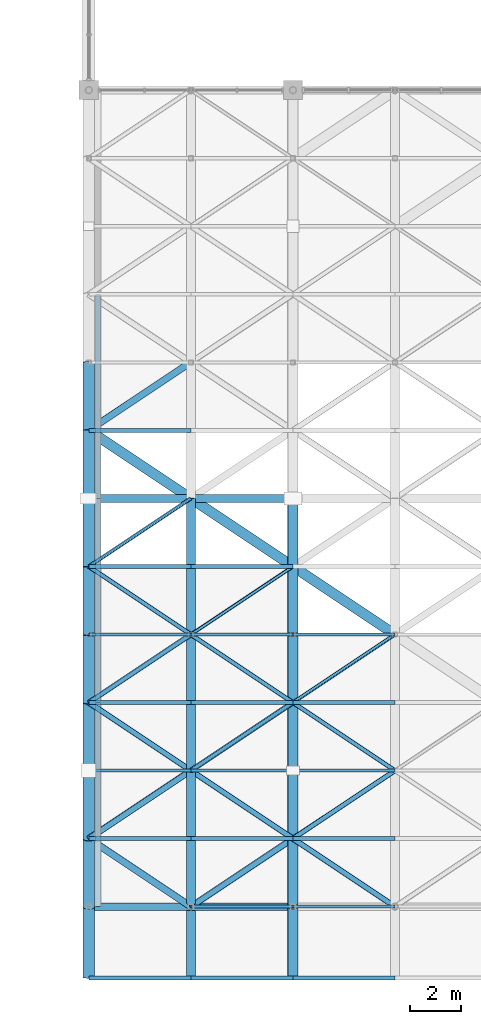
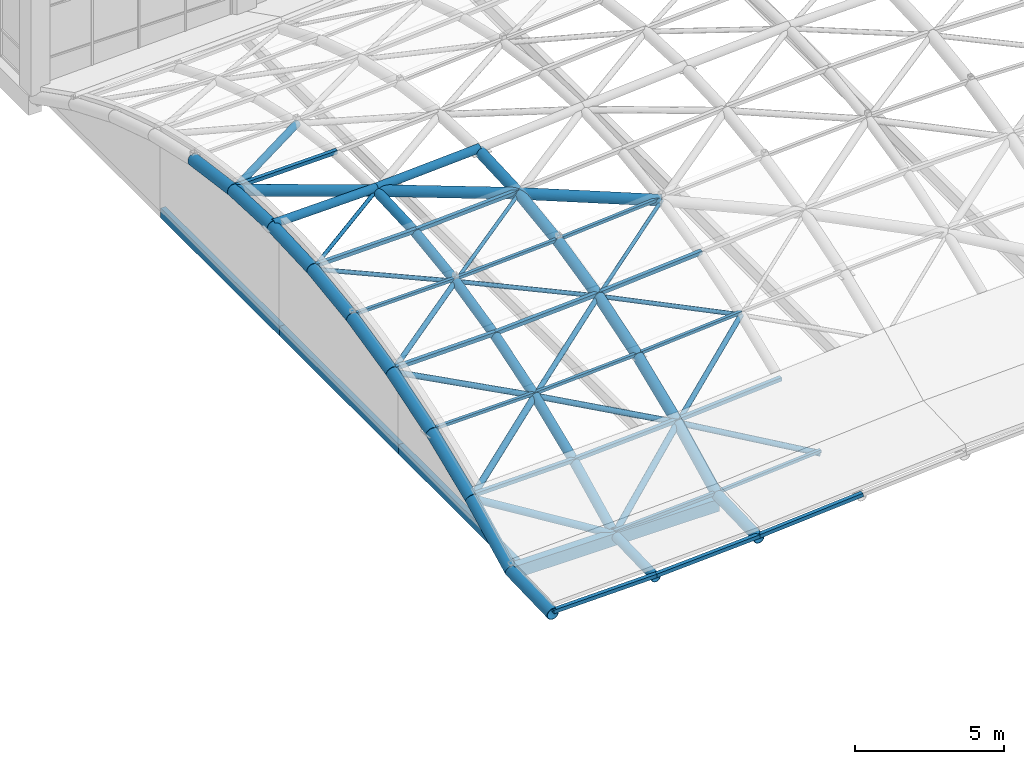
# One storey, part 11 of 72: 41 members, 27 beams.
"""IFC4 building model written with IfcOpenShell, lengths in metres."""

from ifc_helpers import new_model, si_unit, direction, frame, origin, origin_2d, place, context, subcontext, project, spatial, hollow_rectangle, hollow_circle, extrude, material, material_profile, profile_set, type_object, element, save


model = new_model("IFC4")

# Units and contexts
model_context = context("Model", 3, precision=1e-05, world=origin(), true_north=direction((0.0, 1.0)))
body_context = subcontext(model_context, "Body", "Model", "MODEL_VIEW")
ifc_project = project(units=[si_unit("LENGTHUNIT", "METRE"), si_unit("AREAUNIT", "SQUARE_METRE"), si_unit("VOLUMEUNIT", "CUBIC_METRE"), si_unit("PLANEANGLEUNIT", "RADIAN"), si_unit("MASSUNIT", "GRAM", prefix="KILO")], contexts=[model_context])

# Site, building, storey
site_placement = place(None, origin())
site = spatial("IfcSite", under=ifc_project, at=site_placement, CompositionType="ELEMENT")
building_placement = place(site_placement, origin())
building = spatial("IfcBuilding", under=site, at=building_placement, Name="Tenunan Teduh Sports Hall", CompositionType="ELEMENT")
storey_placement = place(building_placement, frame((0.0, 0.0, 15.0)))
storey = spatial("IfcBuildingStorey", under=building, at=storey_placement, Name="L03", CompositionType="ELEMENT", Elevation=15.0)

# Beams
ifc_material_1 = material(Name="Steel S355", Category="steel")
ifc_material_profile_1 = material_profile(ifc_material_1, hollow_circle(Radius=0.177734375, WallThickness=0.012451171875, at=origin_2d()), Name="CHS 355.6x12.5")
ifc_profile_set_1 = profile_set([ifc_material_profile_1], Name="Steel S355")
beam_type_1 = type_object("IfcBeamType", Name="GSB-CHS356", PredefinedType="BEAM", material=ifc_profile_set_1)
beam_1_placement = place(storey_placement, frame((126.0, 11.199951171875, -0.3837890625), z_axis=(0.0, 0.999521285082, 0.030938659769), x_axis=(-1.0, 0.0, 0.0)))
element("IfcBeam", 1, at=beam_1_placement, inside=storey, type_object=beam_type_1, Name="Gridshell Vault Arch BM-GR-04-L03-0082", PredefinedType="BEAM", context=body_context, shape_type="SweptSolid", body=[
    extrude(hollow_circle(Radius=0.177734375, WallThickness=0.012451171875, at=origin_2d()), origin(), (0.0, 0.0, 1.0), 2.6513671875),
])
beam_2_placement = place(storey_placement, frame((126.0, 14.14990234375, -0.2158203125), z_axis=(0.0, 0.893958432616, 0.448149886483), x_axis=(-1.0, 0.0, 0.0)))
element("IfcBeam", 2, at=beam_2_placement, inside=storey, type_object=beam_type_1, Name="Gridshell Vault Arch BM-GR-04-L03-0083", PredefinedType="BEAM", context=body_context, shape_type="SweptSolid", body=[
    extrude(hollow_circle(Radius=0.177734375, WallThickness=0.012451171875, at=origin_2d()), origin(), (0.0, 0.0, 1.0), 2.8154296875),
])
beam_3_placement = place(storey_placement, frame((126.0, 16.666748046875, 1.0458984375), z_axis=(0.0, 0.924239355634, 0.381813584748), x_axis=(-1.0, 0.0, 0.0)))
element("IfcBeam", 3, at=beam_3_placement, inside=storey, type_object=beam_type_1, Name="Gridshell Vault Arch BM-GR-04-L03-0084", PredefinedType="BEAM", context=body_context, shape_type="SweptSolid", body=[
    extrude(hollow_circle(Radius=0.177734375, WallThickness=0.012451171875, at=origin_2d()), origin(), (0.0, 0.0, 1.0), 2.885009765625),
])
beam_4_placement = place(storey_placement, frame((126.0, 19.333251953125, 2.1474609375), z_axis=(0.0, 0.952205270427, 0.305458872798), x_axis=(-1.0, 0.0, 0.0)))
element("IfcBeam", 4, at=beam_4_placement, inside=storey, type_object=beam_type_1, Name="Gridshell Vault Arch BM-GR-04-L03-0085", PredefinedType="BEAM", context=body_context, shape_type="SweptSolid", body=[
    extrude(hollow_circle(Radius=0.177734375, WallThickness=0.012451171875, at=origin_2d()), origin(), (0.0, 0.0, 1.0), 2.800537109375),
])
beam_5_placement = place(storey_placement, frame((126.0, 22.0, 3.0029296875), z_axis=(0.0, 0.974871798782, 0.222766640095), x_axis=(-1.0, 0.0, 0.0)))
element("IfcBeam", 5, at=beam_5_placement, inside=storey, type_object=beam_type_1, Name="Gridshell Vault Arch BM-GR-04-L03-0086", PredefinedType="BEAM", context=body_context, shape_type="SweptSolid", body=[
    extrude(hollow_circle(Radius=0.177734375, WallThickness=0.012451171875, at=origin_2d()), origin(), (0.0, 0.0, 1.0), 2.735595703125),
])
beam_6_placement = place(storey_placement, frame((126.0, 24.666748046875, 3.6123046875), z_axis=(0.0, 0.99065158568, 0.136416405866), x_axis=(-1.0, 0.0, 0.0)))
element("IfcBeam", 6, at=beam_6_placement, inside=storey, type_object=beam_type_1, Name="Gridshell Vault Arch BM-GR-04-L03-0087", PredefinedType="BEAM", context=body_context, shape_type="SweptSolid", body=[
    extrude(hollow_circle(Radius=0.177734375, WallThickness=0.012451171875, at=origin_2d()), origin(), (0.0, 0.0, 1.0), 2.691650390625),
])
beam_7_placement = place(storey_placement, frame((126.0, 27.333251953125, 3.9794921875), z_axis=(0.0, 0.998970613421, 0.045362027305), x_axis=(-1.0, 0.0, 0.0)))
element("IfcBeam", 7, at=beam_7_placement, inside=storey, type_object=beam_type_1, Name="Gridshell Vault Arch BM-GR-04-L03-0088", PredefinedType="BEAM", context=body_context, shape_type="SweptSolid", body=[
    extrude(hollow_circle(Radius=0.177734375, WallThickness=0.012451171875, at=origin_2d()), origin(), (0.0, 0.0, 1.0), 2.66943359375),
])
ifc_material_2 = material(Name="Steel S355", Category="steel")
ifc_material_profile_2 = material_profile(ifc_material_2, hollow_circle(Radius=0.203125, WallThickness=0.01611328125, at=origin_2d()), Name="CHS 406.4x16.0")
ifc_profile_set_2 = profile_set([ifc_material_profile_2], Name="Steel S355")
beam_type_2 = type_object("IfcBeamType", Name="GSB-CHS406", PredefinedType="BEAM", material=ifc_profile_set_2)
beam_8_placement = place(storey_placement, frame((130.0, 11.199951171875, -0.1650390625), z_axis=(0.0, 0.999529350566, 0.030676984166), x_axis=(-1.0, 0.0, 0.0)))
element("IfcBeam", 8, at=beam_8_placement, inside=storey, type_object=beam_type_2, Name="Gridshell Vault Arch BM-GA-02-L03-0095", PredefinedType="BEAM", context=body_context, shape_type="SweptSolid", body=[
    extrude(hollow_circle(Radius=0.203125, WallThickness=0.01611328125, at=origin_2d()), origin(), (0.0, 0.0, 1.0), 2.80126953125),
])
beam_9_placement = place(storey_placement, frame((130.0, 14.0, -0.0791015625), z_axis=(0.0, 0.893033000477, 0.449991177756), x_axis=(-1.0, 0.0, 0.0)))
element("IfcBeam", 9, at=beam_9_placement, inside=storey, type_object=beam_type_2, Name="Gridshell Vault Arch BM-GA-02-L03-0096", PredefinedType="BEAM", context=body_context, shape_type="SweptSolid", body=[
    extrude(hollow_circle(Radius=0.203125, WallThickness=0.01611328125, at=origin_2d()), origin(), (0.0, 0.0, 1.0), 2.986083984375),
])
beam_10_placement = place(storey_placement, frame((130.0, 16.666748046875, 1.2646484375), z_axis=(0.0, 0.924239355634, 0.381813584748), x_axis=(-1.0, 0.0, 0.0)))
element("IfcBeam", 10, at=beam_10_placement, inside=storey, type_object=beam_type_2, Name="Gridshell Vault Arch BM-GA-02-L03-0097", PredefinedType="BEAM", context=body_context, shape_type="SweptSolid", body=[
    extrude(hollow_circle(Radius=0.203125, WallThickness=0.01611328125, at=origin_2d()), origin(), (0.0, 0.0, 1.0), 2.885009765625),
])
beam_11_placement = place(storey_placement, frame((130.0, 19.333251953125, 2.3662109375), z_axis=(0.0, 0.952205270427, 0.305458872798), x_axis=(-1.0, 0.0, 0.0)))
element("IfcBeam", 11, at=beam_11_placement, inside=storey, type_object=beam_type_2, Name="Gridshell Vault Arch BM-GA-02-L03-0098", PredefinedType="BEAM", context=body_context, shape_type="SweptSolid", body=[
    extrude(hollow_circle(Radius=0.203125, WallThickness=0.01611328125, at=origin_2d()), origin(), (0.0, 0.0, 1.0), 2.800537109375),
])
beam_12_placement = place(storey_placement, frame((130.0, 22.0, 3.2216796875), z_axis=(0.0, 0.974871798782, 0.222766640095), x_axis=(-1.0, 0.0, 0.0)))
element("IfcBeam", 12, at=beam_12_placement, inside=storey, type_object=beam_type_2, Name="Gridshell Vault Arch BM-GA-02-L03-0099", PredefinedType="BEAM", context=body_context, shape_type="SweptSolid", body=[
    extrude(hollow_circle(Radius=0.203125, WallThickness=0.01611328125, at=origin_2d()), origin(), (0.0, 0.0, 1.0), 2.735595703125),
])
beam_13_placement = place(storey_placement, frame((130.0, 24.666748046875, 3.8310546875), z_axis=(0.0, 0.99065158568, 0.136416405866), x_axis=(-1.0, 0.0, 0.0)))
element("IfcBeam", 13, at=beam_13_placement, inside=storey, type_object=beam_type_2, Name="Gridshell Vault Arch BM-GA-02-L03-0100", PredefinedType="BEAM", context=body_context, shape_type="SweptSolid", body=[
    extrude(hollow_circle(Radius=0.203125, WallThickness=0.01611328125, at=origin_2d()), origin(), (0.0, 0.0, 1.0), 2.691650390625),
])
beam_14_placement = place(storey_placement, frame((130.0, 27.333251953125, 4.1982421875), z_axis=(0.0, 0.998970613421, 0.045362027305), x_axis=(-1.0, 0.0, 0.0)))
element("IfcBeam", 14, at=beam_14_placement, inside=storey, type_object=beam_type_2, Name="Gridshell Vault Arch BM-GA-02-L03-0101", PredefinedType="BEAM", context=body_context, shape_type="SweptSolid", body=[
    extrude(hollow_circle(Radius=0.203125, WallThickness=0.01611328125, at=origin_2d()), origin(), (0.0, 0.0, 1.0), 2.66943359375),
])
ifc_material_3 = material(Name="Steel S355", Category="steel")
ifc_material_profile_3 = material_profile(ifc_material_3, hollow_circle(Radius=0.228515625, WallThickness=0.01611328125, at=origin_2d()), Name="CHS 457.0x16.0")
ifc_profile_set_3 = profile_set([ifc_material_profile_3], Name="Steel S355")
beam_type_3 = type_object("IfcBeamType", Name="GSB-CHS457", PredefinedType="BEAM", material=ifc_profile_set_3)
beam_15_placement = place(storey_placement, frame((122.0, 11.199951171875, -0.4658203125), z_axis=(0.0, 0.999529350566, 0.030676984166), x_axis=(-1.0, 0.0, 0.0)))
element("IfcBeam", 15, at=beam_15_placement, inside=storey, type_object=beam_type_3, Name="Gridshell Vault Arch BM-GA-01-L03-0069", PredefinedType="BEAM", context=body_context, shape_type="SweptSolid", body=[
    extrude(hollow_circle(Radius=0.228515625, WallThickness=0.01611328125, at=origin_2d()), origin(), (0.0, 0.0, 1.0), 2.80126953125),
])
beam_16_placement = place(storey_placement, frame((122.0, 14.0, -0.3798828125), z_axis=(0.0, 0.893033000477, 0.449991177756), x_axis=(-1.0, 0.0, 0.0)))
element("IfcBeam", 16, at=beam_16_placement, inside=storey, type_object=beam_type_3, Name="Gridshell Vault Arch BM-GA-01-L03-0070", PredefinedType="BEAM", context=body_context, shape_type="SweptSolid", body=[
    extrude(hollow_circle(Radius=0.228515625, WallThickness=0.01611328125, at=origin_2d()), origin(), (0.0, 0.0, 1.0), 2.986083984375),
])
beam_17_placement = place(storey_placement, frame((122.0, 16.666748046875, 0.9638671875), z_axis=(0.0, 0.924239355634, 0.381813584748), x_axis=(-1.0, 0.0, 0.0)))
element("IfcBeam", 17, at=beam_17_placement, inside=storey, type_object=beam_type_3, Name="Gridshell Vault Arch BM-GA-01-L03-0071", PredefinedType="BEAM", context=body_context, shape_type="SweptSolid", body=[
    extrude(hollow_circle(Radius=0.228515625, WallThickness=0.01611328125, at=origin_2d()), origin(), (0.0, 0.0, 1.0), 2.885009765625),
])
beam_18_placement = place(storey_placement, frame((122.0, 19.333251953125, 2.0654296875), z_axis=(0.0, 0.952205270427, 0.305458872798), x_axis=(-1.0, 0.0, 0.0)))
element("IfcBeam", 18, at=beam_18_placement, inside=storey, type_object=beam_type_3, Name="Gridshell Vault Arch BM-GA-01-L03-0072", PredefinedType="BEAM", context=body_context, shape_type="SweptSolid", body=[
    extrude(hollow_circle(Radius=0.228515625, WallThickness=0.01611328125, at=origin_2d()), origin(), (0.0, 0.0, 1.0), 2.800537109375),
])
beam_19_placement = place(storey_placement, frame((122.0, 22.0, 2.9208984375), z_axis=(0.0, 0.974871798782, 0.222766640095), x_axis=(-1.0, 0.0, 0.0)))
element("IfcBeam", 19, at=beam_19_placement, inside=storey, type_object=beam_type_3, Name="Gridshell Vault Arch BM-GA-01-L03-0073", PredefinedType="BEAM", context=body_context, shape_type="SweptSolid", body=[
    extrude(hollow_circle(Radius=0.228515625, WallThickness=0.01611328125, at=origin_2d()), origin(), (0.0, 0.0, 1.0), 2.735595703125),
])
beam_20_placement = place(storey_placement, frame((122.0, 24.666748046875, 3.5302734375), z_axis=(0.0, 0.99065158568, 0.136416405866), x_axis=(-1.0, 0.0, 0.0)))
element("IfcBeam", 20, at=beam_20_placement, inside=storey, type_object=beam_type_3, Name="Gridshell Vault Arch BM-GA-01-L03-0074", PredefinedType="BEAM", context=body_context, shape_type="SweptSolid", body=[
    extrude(hollow_circle(Radius=0.228515625, WallThickness=0.01611328125, at=origin_2d()), origin(), (0.0, 0.0, 1.0), 2.691650390625),
])
for number, where, z_axis, x_axis, name in (
    (21, (122.0, 27.333251953125, 3.8974609375), (0.0, 0.998970613421, 0.045362027305), (-1.0, 0.0, 0.0), "Gridshell Vault Arch BM-GA-01-L03-0075"),
    (22, (122.0, 30.0, 4.0185546875), (0.0, 0.998970613421, -0.045362027305), (-1.0, 0.0, 0.0), "Gridshell Vault Arch BM-GA-01-L03-0076"),
):
    element("IfcBeam", number, at=place(storey_placement, frame(where, z_axis=z_axis, x_axis=x_axis)), inside=storey, type_object=beam_type_3, Name=name, PredefinedType="BEAM", context=body_context, shape_type="SweptSolid", body=[
        extrude(hollow_circle(Radius=0.228515625, WallThickness=0.01611328125, at=origin_2d()), origin(), (0.0, 0.0, 1.0), 2.66943359375),
    ])
beam_21_placement = place(storey_placement, frame((122.0, 32.666748046875, 3.8974609375), z_axis=(0.0, 0.99065158568, -0.136416405866), x_axis=(-1.0, 0.0, 0.0)))
element("IfcBeam", 23, at=beam_21_placement, inside=storey, type_object=beam_type_3, Name="Gridshell Vault Arch BM-GA-01-L03-0077", PredefinedType="BEAM", context=body_context, shape_type="SweptSolid", body=[
    extrude(hollow_circle(Radius=0.228515625, WallThickness=0.01611328125, at=origin_2d()), origin(), (0.0, 0.0, 1.0), 2.691650390625),
])

# Members
ifc_material_4 = material(Name="Steel S355", Category="steel")
ifc_material_profile_4 = material_profile(ifc_material_4, hollow_circle(Radius=0.06982421875, WallThickness=0.00634765625, at=origin_2d()), Name="CHS 139.7x6.3")
ifc_profile_set_4 = profile_set([ifc_material_profile_4], Name="Steel S355")
member_type_1 = type_object("IfcMemberType", Name="MEM-BR-CHS140", PredefinedType="BRACE", material=ifc_profile_set_4)
member_1_placement = place(storey_placement, frame((122.0, 27.333251953125, 3.8974609375), z_axis=(0.831300774551, 0.554217429225, 0.042214492458), x_axis=(-0.554711915519, 0.832042481356, 0.0)))
element("IfcMember", 24, at=member_1_placement, inside=storey, type_object=member_type_1, Name="MEM-GD-05-L03-0113", PredefinedType="BRACE", context=body_context, shape_type="SweptSolid", body=[
    extrude(hollow_circle(Radius=0.06982421875, WallThickness=0.00634765625, at=origin_2d()), origin(), (0.0, 0.0, 1.0), 4.811767578125),
])
member_2_placement = place(storey_placement, frame((126.0, 24.666748046875, 3.6123046875), z_axis=(0.825953410204, 0.550601998672, 0.120989269073), x_axis=(-0.554676756648, 0.832065920246, 0.0)))
element("IfcMember", 25, at=member_2_placement, inside=storey, type_object=member_type_1, Name="MEM-GD-05-L03-0138", PredefinedType="BRACE", context=body_context, shape_type="SweptSolid", body=[
    extrude(hollow_circle(Radius=0.06982421875, WallThickness=0.00634765625, at=origin_2d()), origin(), (0.0, 0.0, 1.0), 4.8427734375),
])
member_3_placement = place(storey_placement, frame((130.0, 22.0, 3.2216796875), z_axis=(0.817520322289, 0.545030180686, 0.186017807708), x_axis=(-0.554711915519, 0.832042481356, 0.0)))
element("IfcMember", 26, at=member_3_placement, inside=storey, type_object=member_type_1, Name="MEM-GD-05-L03-0163", PredefinedType="BRACE", context=body_context, shape_type="SweptSolid", body=[
    extrude(hollow_circle(Radius=0.06982421875, WallThickness=0.00634765625, at=origin_2d()), origin(), (0.0, 0.0, 1.0), 4.892822265625),
])
ifc_material_5 = material(Name="Steel S355", Category="steel")
ifc_material_profile_5 = material_profile(ifc_material_5, hollow_circle(Radius=0.084228515625, WallThickness=0.008056640625, at=origin_2d()), Name="CHS 168.3x8.0")
ifc_profile_set_5 = profile_set([ifc_material_profile_5], Name="Steel S355")
member_type_2 = type_object("IfcMemberType", Name="MEM-BR-CHS168", PredefinedType="BRACE", material=ifc_profile_set_5)
member_4_placement = place(storey_placement, frame((122.0, 27.333251953125, 3.8974609375), z_axis=(0.830605947326, -0.553703500775, -0.059213119292), x_axis=(0.554676756648, 0.832065920246, 0.0)))
element("IfcMember", 27, at=member_4_placement, inside=storey, type_object=member_type_2, Name="MEM-GD-04-L03-0112", PredefinedType="BRACE", context=body_context, shape_type="SweptSolid", body=[
    extrude(hollow_circle(Radius=0.084228515625, WallThickness=0.008056640625, at=origin_2d()), origin(), (0.0, 0.0, 1.0), 4.815673828125),
])
member_5_placement = place(storey_placement, frame((126.0, 24.666748046875, 3.6123046875), z_axis=(0.829309336898, -0.552889763607, -0.080987239931), x_axis=(0.554711915519, 0.832042481356, 0.0)))
element("IfcMember", 28, at=member_5_placement, inside=storey, type_object=member_type_2, Name="MEM-GD-04-L03-0137", PredefinedType="BRACE", context=body_context, shape_type="SweptSolid", body=[
    extrude(hollow_circle(Radius=0.084228515625, WallThickness=0.008056640625, at=origin_2d()), origin(), (0.0, 0.0, 1.0), 4.8232421875),
])
member_6_placement = place(storey_placement, frame((130.0, 22.0, 3.2216796875), z_axis=(0.826558786537, -0.551056007406, -0.114620456727), x_axis=(0.554711915519, 0.832042481356, 0.0)))
element("IfcMember", 29, at=member_6_placement, inside=storey, type_object=member_type_2, Name="MEM-GD-04-L03-0162", PredefinedType="BRACE", context=body_context, shape_type="SweptSolid", body=[
    extrude(hollow_circle(Radius=0.084228515625, WallThickness=0.008056640625, at=origin_2d()), origin(), (0.0, 0.0, 1.0), 4.83935546875),
])
ifc_material_6 = material(Name="Steel S355", Category="steel")
ifc_material_profile_6 = material_profile(ifc_material_6, hollow_circle(Radius=0.096923828125, WallThickness=0.008056640625, at=origin_2d()), Name="CHS 193.7x8.0")
ifc_profile_set_6 = profile_set([ifc_material_profile_6], Name="Steel S355")
member_type_3 = type_object("IfcMemberType", Name="MEM-BR-CHS194", PredefinedType="BRACE", material=ifc_profile_set_6)
member_7_placement = place(storey_placement, frame((122.0, 22.0, 2.9208984375), z_axis=(0.823568667697, 0.549062534012, 0.142355131037), x_axis=(-0.554711915519, 0.832042481356, 0.0)))
element("IfcMember", 30, at=member_7_placement, inside=storey, type_object=member_type_3, Name="MEM-GD-03-L03-0111", PredefinedType="BRACE", context=body_context, shape_type="SweptSolid", body=[
    extrude(hollow_circle(Radius=0.096923828125, WallThickness=0.008056640625, at=origin_2d()), origin(), (0.0, 0.0, 1.0), 4.85693359375),
])
member_8_placement = place(storey_placement, frame((126.0, 19.333251953125, 2.1474609375), z_axis=(0.81201761227, 0.541361595387, 0.218071136108), x_axis=(-0.554711915519, 0.832042481356, 0.0)))
element("IfcMember", 31, at=member_8_placement, inside=storey, type_object=member_type_3, Name="MEM-GD-03-L03-0136", PredefinedType="BRACE", context=body_context, shape_type="SweptSolid", body=[
    extrude(hollow_circle(Radius=0.096923828125, WallThickness=0.008056640625, at=origin_2d()), origin(), (0.0, 0.0, 1.0), 4.926025390625),
])
member_9_placement = place(storey_placement, frame((130.0, 16.666748046875, 1.2646484375), z_axis=(0.798773847537, 0.532483396167, 0.280038878189), x_axis=(-0.554676756648, 0.832065920246, 0.0)))
element("IfcMember", 32, at=member_9_placement, inside=storey, type_object=member_type_3, Name="MEM-GD-03-L03-0161", PredefinedType="BRACE", context=body_context, shape_type="SweptSolid", body=[
    extrude(hollow_circle(Radius=0.096923828125, WallThickness=0.008056640625, at=origin_2d()), origin(), (0.0, 0.0, 1.0), 5.007568359375),
])
ifc_material_7 = material(Name="Steel S355", Category="steel")
ifc_material_profile_7 = material_profile(ifc_material_7, hollow_circle(Radius=0.109619140625, WallThickness=0.010009765625, at=origin_2d()), Name="CHS 219.1x10.0")
ifc_profile_set_7 = profile_set([ifc_material_profile_7], Name="Steel S355")
member_type_4 = type_object("IfcMemberType", Name="MEM-BR-CHS219", PredefinedType="BRACE", material=ifc_profile_set_7)
member_10_placement = place(storey_placement, frame((122.0, 22.0, 2.9208984375), z_axis=(0.821479059934, -0.547669419657, -0.158840677604), x_axis=(0.554711915519, 0.832042481356, 0.0)))
element("IfcMember", 33, at=member_10_placement, inside=storey, type_object=member_type_4, Name="MEM-GD-02-L03-0110", PredefinedType="BRACE", context=body_context, shape_type="SweptSolid", body=[
    extrude(hollow_circle(Radius=0.109619140625, WallThickness=0.010009765625, at=origin_2d()), origin(), (0.0, 0.0, 1.0), 4.869384765625),
])
member_11_placement = place(storey_placement, frame((126.0, 19.333251953125, 2.1474609375), z_axis=(0.818381009906, -0.545554039928, -0.180619246327), x_axis=(0.554676756648, 0.832065920246, 0.0)))
element("IfcMember", 34, at=member_11_placement, inside=storey, type_object=member_type_4, Name="MEM-GD-02-L03-0135", PredefinedType="BRACE", context=body_context, shape_type="SweptSolid", body=[
    extrude(hollow_circle(Radius=0.109619140625, WallThickness=0.010009765625, at=origin_2d()), origin(), (0.0, 0.0, 1.0), 4.8876953125),
])
member_12_placement = place(storey_placement, frame((130.0, 16.666748046875, 1.2646484375), z_axis=(0.813126901845, -0.542101144339, -0.212016487102), x_axis=(0.554711915519, 0.832042481356, 0.0)))
element("IfcMember", 35, at=member_12_placement, inside=storey, type_object=member_type_4, Name="MEM-GD-02-L03-0160", PredefinedType="BRACE", context=body_context, shape_type="SweptSolid", body=[
    extrude(hollow_circle(Radius=0.109619140625, WallThickness=0.010009765625, at=origin_2d()), origin(), (0.0, 0.0, 1.0), 4.919189453125),
])
ifc_material_8 = material(Name="Steel S355", Category="steel")
ifc_material_profile_8 = material_profile(ifc_material_8, hollow_circle(Radius=0.122314453125, WallThickness=0.010009765625, at=origin_2d()), Name="CHS 244.5x10.0")
ifc_profile_set_8 = profile_set([ifc_material_profile_8], Name="Steel S355")
member_type_5 = type_object("IfcMemberType", Name="MEM-BR-CHS245", PredefinedType="BRACE", material=ifc_profile_set_8)
member_13_placement = place(storey_placement, frame((122.0, 16.666748046875, 0.9638671875), z_axis=(0.807938419572, 0.538592737949, 0.239067715947), x_axis=(-0.554676756648, 0.832065920246, 0.0)))
element("IfcMember", 36, at=member_13_placement, inside=storey, type_object=member_type_5, Name="MEM-GD-01-L03-0109", PredefinedType="BRACE", context=body_context, shape_type="SweptSolid", body=[
    extrude(hollow_circle(Radius=0.122314453125, WallThickness=0.010009765625, at=origin_2d()), origin(), (0.0, 0.0, 1.0), 4.950927734375),
])
member_14_placement = place(storey_placement, frame((126.0, 14.0, -0.2978515625), z_axis=(0.791296886436, 0.5275473566, 0.309100346264), x_axis=(-0.554711915519, 0.832042481356, 0.0)))
element("IfcMember", 37, at=member_14_placement, inside=storey, type_object=member_type_5, Name="MEM-GD-01-L03-0134", PredefinedType="BRACE", context=body_context, shape_type="SweptSolid", body=[
    extrude(hollow_circle(Radius=0.122314453125, WallThickness=0.010009765625, at=origin_2d()), origin(), (0.0, 0.0, 1.0), 5.054931640625),
])
ifc_material_9 = material(Name="Steel S355", Category="steel")
ifc_material_profile_9 = material_profile(ifc_material_9, hollow_circle(Radius=0.136474609375, WallThickness=0.010009765625, at=origin_2d()), Name="CHS 273.0x10.0")
ifc_profile_set_9 = profile_set([ifc_material_profile_9], Name="Steel S355")
member_type_6 = type_object("IfcMemberType", Name="MEM-CH-CHS273", PredefinedType="CHORD", material=ifc_profile_set_9)
member_15_placement = place(storey_placement, frame((122.0, 16.666748046875, 0.9638671875), z_axis=(0.804786955683, -0.536541010555, -0.253853697935), x_axis=(0.554711915519, 0.832042481356, 0.0)))
element("IfcMember", 38, at=member_15_placement, inside=storey, type_object=member_type_6, Name="MEM-GC-03-L03-0108", PredefinedType="CHORD", context=body_context, shape_type="SweptSolid", body=[
    extrude(hollow_circle(Radius=0.136474609375, WallThickness=0.010009765625, at=origin_2d()), origin(), (0.0, 0.0, 1.0), 4.97021484375),
])
member_16_placement = place(storey_placement, frame((122.0, 32.666748046875, 3.8974609375), z_axis=(0.830605947326, 0.553703500775, -0.059213119292), x_axis=(-0.554676756648, 0.832065920246, 0.0)))
element("IfcMember", 39, at=member_16_placement, inside=storey, type_object=member_type_6, Name="MEM-GC-03-L03-0115", PredefinedType="CHORD", context=body_context, shape_type="SweptSolid", body=[
    extrude(hollow_circle(Radius=0.136474609375, WallThickness=0.010009765625, at=origin_2d()), origin(), (0.0, 0.0, 1.0), 4.815673828125),
])
ifc_material_10 = material(Name="Steel S355", Category="steel")
ifc_material_profile_10 = material_profile(ifc_material_10, hollow_circle(Radius=0.161865234375, WallThickness=0.012451171875, at=origin_2d()), Name="CHS 323.9x12.5")
ifc_profile_set_10 = profile_set([ifc_material_profile_10], Name="Steel S355")
member_type_7 = type_object("IfcMemberType", Name="MEM-CH-CHS324", PredefinedType="CHORD", material=ifc_profile_set_10)
member_17_placement = place(storey_placement, frame((122.0, 30.0, 4.138427734375), z_axis=(0.99978978112, 0.0, 0.020503501371), x_axis=(0.0, 1.0, 0.0)))
element("IfcMember", 40, at=member_17_placement, inside=storey, type_object=member_type_7, Name="MEM-GC-02-L03-0102", PredefinedType="CHORD", context=body_context, shape_type="SweptSolid", body=[
    extrude(hollow_circle(Radius=0.161865234375, WallThickness=0.012451171875, at=origin_2d()), origin(), (0.0, 0.0, 1.0), 4.000732421875),
])
member_18_placement = place(storey_placement, frame((126.0, 30.0, 4.220458984375), z_axis=(0.998507984492, 0.0, 0.054605905402), x_axis=(0.0, 1.0, 0.0)))
element("IfcMember", 41, at=member_18_placement, inside=storey, type_object=member_type_7, Name="MEM-GC-02-L03-0127", PredefinedType="CHORD", context=body_context, shape_type="SweptSolid", body=[
    extrude(hollow_circle(Radius=0.161865234375, WallThickness=0.012451171875, at=origin_2d()), origin(), (0.0, 0.0, 1.0), 4.005859375),
])
ifc_material_11 = material(Name="Steel S355", Category="steel")
ifc_material_profile_11 = material_profile(ifc_material_11, hollow_circle(Radius=0.203125, WallThickness=0.012451171875, at=origin_2d()), Name="CHS 406.4x12.5")
ifc_profile_set_11 = profile_set([ifc_material_profile_11], Name="Steel S355")
member_type_8 = type_object("IfcMemberType", Name="MEM-CH-CHS406L", PredefinedType="CHORD", material=ifc_profile_set_11)
member_19_placement = place(storey_placement, frame((122.0, 32.666748046875, 3.8974609375), z_axis=(0.831300774551, -0.554217429225, 0.042214492458), x_axis=(0.554711915519, 0.832042481356, 0.0)))
element("IfcMember", 42, at=member_19_placement, inside=storey, type_object=member_type_8, Name="MEM-GC-01-L03-0114", PredefinedType="CHORD", context=body_context, shape_type="SweptSolid", body=[
    extrude(hollow_circle(Radius=0.203125, WallThickness=0.012451171875, at=origin_2d()), origin(), (0.0, 0.0, 1.0), 4.811767578125),
])
member_20_placement = place(storey_placement, frame((126.0, 30.0, 4.1005859375), z_axis=(0.831870867548, -0.554597502821, 0.020309347352), x_axis=(0.554711915519, 0.832042481356, 0.0)))
element("IfcMember", 43, at=member_20_placement, inside=storey, type_object=member_type_8, Name="MEM-GC-01-L03-0139", PredefinedType="CHORD", context=body_context, shape_type="SweptSolid", body=[
    extrude(hollow_circle(Radius=0.203125, WallThickness=0.012451171875, at=origin_2d()), origin(), (0.0, 0.0, 1.0), 4.808349609375),
])
member_21_placement = place(storey_placement, frame((130.0, 27.333251953125, 4.1982421875), z_axis=(0.831986546113, -0.55462384379, -0.013812276644), x_axis=(0.554676756648, 0.832065920246, 0.0)))
element("IfcMember", 44, at=member_21_placement, inside=storey, type_object=member_type_8, Name="MEM-GC-01-L03-0164", PredefinedType="CHORD", context=body_context, shape_type="SweptSolid", body=[
    extrude(hollow_circle(Radius=0.203125, WallThickness=0.012451171875, at=origin_2d()), origin(), (0.0, 0.0, 1.0), 4.807861328125),
])
ifc_material_12 = material(Name="Steel S355", Category="steel")
ifc_material_profile_12 = material_profile(ifc_material_12, hollow_rectangle(XDim=0.1201171875, YDim=0.1201171875, WallThickness=0.00634765625, at=origin_2d()), Name="SHS 120x120x6.3")
ifc_profile_set_12 = profile_set([ifc_material_profile_12], Name="Steel S355")
member_type_9 = type_object("IfcMemberType", Name="MEM-PR-SHS120", PredefinedType="PURLIN", material=ifc_profile_set_12)
for number, where, z_axis, x_axis, name in (
    (45, (122.0, 19.333251953125, 2.185302734375), (0.99978978112, 0.0, 0.020503501371), (0.0, 1.0, 0.0), "MEM-PR-02-L03-0098"),
    (46, (122.0, 24.666748046875, 3.650146484375), (0.99978978112, 0.0, 0.020503501371), (0.0, 1.0, 0.0), "MEM-PR-02-L03-0100"),
):
    element("IfcMember", number, at=place(storey_placement, frame(where, z_axis=z_axis, x_axis=x_axis)), inside=storey, type_object=member_type_9, Name=name, PredefinedType="PURLIN", context=body_context, shape_type="SweptSolid", body=[
        extrude(hollow_rectangle(XDim=0.1201171875, YDim=0.1201171875, WallThickness=0.00634765625, at=origin_2d()), origin(), (0.0, 0.0, 1.0), 4.000732421875),
    ])
for number, where, z_axis, x_axis, name in (
    (47, (126.0, 14.0, -0.177978515625), (0.998507984492, 0.0, 0.054605905402), (0.0, 1.0, 0.0), "MEM-PR-02-L03-0121"),
    (48, (126.0, 19.333251953125, 2.267333984375), (0.998507984492, 0.0, 0.054605905402), (0.0, 1.0, 0.0), "MEM-PR-02-L03-0123"),
    (49, (126.0, 24.666748046875, 3.732177734375), (0.998507984492, 0.0, 0.054605905402), (0.0, 1.0, 0.0), "MEM-PR-02-L03-0125"),
):
    element("IfcMember", number, at=place(storey_placement, frame(where, z_axis=z_axis, x_axis=x_axis)), inside=storey, type_object=member_type_9, Name=name, PredefinedType="PURLIN", context=body_context, shape_type="SweptSolid", body=[
        extrude(hollow_rectangle(XDim=0.1201171875, YDim=0.1201171875, WallThickness=0.00634765625, at=origin_2d()), origin(), (0.0, 0.0, 1.0), 4.005859375),
    ])
for number, where, z_axis, x_axis, name in (
    (50, (130.0, 14.0, 0.040771484375), (0.997184765588, 0.0, 0.074983620069), (0.0, 1.0, 0.0), "MEM-PR-02-L03-0147"),
    (51, (130.0, 19.333251953125, 2.486083984375), (0.997184765588, 0.0, 0.074983620069), (0.0, 1.0, 0.0), "MEM-PR-02-L03-0149"),
    (52, (130.0, 24.666748046875, 3.950927734375), (0.997184765588, 0.0, 0.074983620069), (0.0, 1.0, 0.0), "MEM-PR-02-L03-0151"),
):
    element("IfcMember", number, at=place(storey_placement, frame(where, z_axis=z_axis, x_axis=x_axis)), inside=storey, type_object=member_type_9, Name=name, PredefinedType="PURLIN", context=body_context, shape_type="SweptSolid", body=[
        extrude(hollow_rectangle(XDim=0.1201171875, YDim=0.1201171875, WallThickness=0.00634765625, at=origin_2d()), origin(), (0.0, 0.0, 1.0), 4.01123046875),
    ])
ifc_material_13 = material(Name="Steel S355", Category="steel")
ifc_material_profile_13 = material_profile(ifc_material_13, hollow_rectangle(XDim=0.14990234375, YDim=0.14990234375, WallThickness=0.008056640625, at=origin_2d()), Name="SHS 150x150x8.0")
ifc_profile_set_13 = profile_set([ifc_material_profile_13], Name="Steel S355")
member_type_10 = type_object("IfcMemberType", Name="MEM-PR-SHS150", PredefinedType="PURLIN", material=ifc_profile_set_13)
for number, where, z_axis, x_axis, name in (
    (53, (122.0, 11.199951171875, -0.345947265625), (0.99978978112, 0.0, 0.020503501371), (0.0, 1.0, 0.0), "MEM-PR-01-L03-0096"),
    (54, (122.0, 16.666748046875, 1.083740234375), (0.99978978112, 0.0, 0.020503501371), (0.0, 1.0, 0.0), "MEM-PR-01-L03-0097"),
    (55, (122.0, 22.0, 3.040771484375), (0.99978978112, 0.0, 0.020503501371), (0.0, 1.0, 0.0), "MEM-PR-01-L03-0099"),
    (56, (122.0, 27.333251953125, 4.017333984375), (0.99978978112, 0.0, 0.020503501371), (0.0, 1.0, 0.0), "MEM-PR-01-L03-0101"),
    (57, (122.0, 32.666748046875, 4.017333984375), (0.99978978112, 0.0, 0.020503501371), (0.0, 1.0, 0.0), "MEM-PR-01-L03-0103"),
):
    element("IfcMember", number, at=place(storey_placement, frame(where, z_axis=z_axis, x_axis=x_axis)), inside=storey, type_object=member_type_10, Name=name, PredefinedType="PURLIN", context=body_context, shape_type="SweptSolid", body=[
        extrude(hollow_rectangle(XDim=0.14990234375, YDim=0.14990234375, WallThickness=0.008056640625, at=origin_2d()), origin(), (0.0, 0.0, 1.0), 4.000732421875),
    ])
for number, where, z_axis, x_axis, name in (
    (58, (126.0, 11.199951171875, -0.263916015625), (0.998507984492, 0.0, 0.054605905402), (0.0, 1.0, 0.0), "MEM-PR-01-L03-0120"),
    (59, (126.0, 16.666748046875, 1.165771484375), (0.998507984492, 0.0, 0.054605905402), (0.0, 1.0, 0.0), "MEM-PR-01-L03-0122"),
    (60, (126.0, 22.0, 3.122802734375), (0.998507984492, 0.0, 0.054605905402), (0.0, 1.0, 0.0), "MEM-PR-01-L03-0124"),
    (61, (126.0, 27.333251953125, 4.099365234375), (0.998507984492, 0.0, 0.054605905402), (0.0, 1.0, 0.0), "MEM-PR-01-L03-0126"),
):
    element("IfcMember", number, at=place(storey_placement, frame(where, z_axis=z_axis, x_axis=x_axis)), inside=storey, type_object=member_type_10, Name=name, PredefinedType="PURLIN", context=body_context, shape_type="SweptSolid", body=[
        extrude(hollow_rectangle(XDim=0.14990234375, YDim=0.14990234375, WallThickness=0.008056640625, at=origin_2d()), origin(), (0.0, 0.0, 1.0), 4.005859375),
    ])
for number, where, z_axis, x_axis, name in (
    (62, (130.0, 11.199951171875, -0.045166015625), (0.997184765588, 0.0, 0.074983620069), (0.0, 1.0, 0.0), "MEM-PR-01-L03-0146"),
    (63, (130.0, 16.666748046875, 1.384521484375), (0.997184765588, 0.0, 0.074983620069), (0.0, 1.0, 0.0), "MEM-PR-01-L03-0148"),
    (64, (130.0, 22.0, 3.341552734375), (0.997184765588, 0.0, 0.074983620069), (0.0, 1.0, 0.0), "MEM-PR-01-L03-0150"),
):
    element("IfcMember", number, at=place(storey_placement, frame(where, z_axis=z_axis, x_axis=x_axis)), inside=storey, type_object=member_type_10, Name=name, PredefinedType="PURLIN", context=body_context, shape_type="SweptSolid", body=[
        extrude(hollow_rectangle(XDim=0.14990234375, YDim=0.14990234375, WallThickness=0.008056640625, at=origin_2d()), origin(), (0.0, 0.0, 1.0), 4.01123046875),
    ])

# Beams
ifc_material_14 = material(Name="Steel S355", Category="steel")
ifc_material_profile_14 = material_profile(ifc_material_14, hollow_rectangle(XDim=0.199951171875, YDim=0.39990234375, WallThickness=0.012451171875, at=origin_2d()), Name="RHS 400x200x12.5")
ifc_profile_set_14 = profile_set([ifc_material_profile_14], Name="Steel S355")
beam_type_4 = type_object("IfcBeamType", Name="RBM-RHS400", PredefinedType="SPANDREL", material=ifc_profile_set_14)
for number, where, z_axis, x_axis, name in (
    (65, (122.353515625, 14.0, -0.360107421875), (0.0, 1.0, 0.0), (-1.0, 0.0, 0.0), "Perimeter Ring Beam BM-RB-02-L03-0056"),
    (66, (122.353515625, 22.0, -0.360107421875), (0.0, 1.0, 0.0), (-1.0, 0.0, 0.0), "Perimeter Ring Beam BM-RB-02-L03-0058"),
    (67, (122.353515625, 30.0, -0.360107421875), (0.0, 1.0, 0.0), (-1.0, 0.0, 0.0), "Perimeter Ring Beam BM-RB-02-L03-0060"),
):
    element("IfcBeam", number, at=place(storey_placement, frame(where, z_axis=z_axis, x_axis=x_axis)), inside=storey, type_object=beam_type_4, Name=name, PredefinedType="SPANDREL", context=body_context, shape_type="SweptSolid", body=[
        extrude(hollow_rectangle(XDim=0.199951171875, YDim=0.39990234375, WallThickness=0.012451171875, at=origin_2d()), origin(), (0.0, 0.0, 1.0), 8.0),
    ])
ifc_material_15 = material(Name="Steel S355", Category="steel")
ifc_material_profile_15 = material_profile(ifc_material_15, hollow_rectangle(XDim=0.300048828125, YDim=0.5, WallThickness=0.01611328125, at=origin_2d()), Name="RHS 500x300x16.0")
ifc_profile_set_15 = profile_set([ifc_material_profile_15], Name="Steel S355")
beam_type_5 = type_object("IfcBeamType", Name="RBM-RHS500", PredefinedType="SPANDREL", material=ifc_profile_set_15)
beam_22_placement = place(storey_placement, frame((122.0, 14.0, -0.409912109375), z_axis=(1.0, 0.0, 0.0), x_axis=(0.0, 1.0, 0.0)))
element("IfcBeam", 68, at=beam_22_placement, inside=storey, type_object=beam_type_5, Name="Perimeter Ring Beam BM-RB-01-L03-0044", PredefinedType="SPANDREL", context=body_context, shape_type="SweptSolid", body=[
    extrude(hollow_rectangle(XDim=0.300048828125, YDim=0.5, WallThickness=0.01611328125, at=origin_2d()), origin(), (0.0, 0.0, 1.0), 8.0),
])

save(model, "model.ifc")
